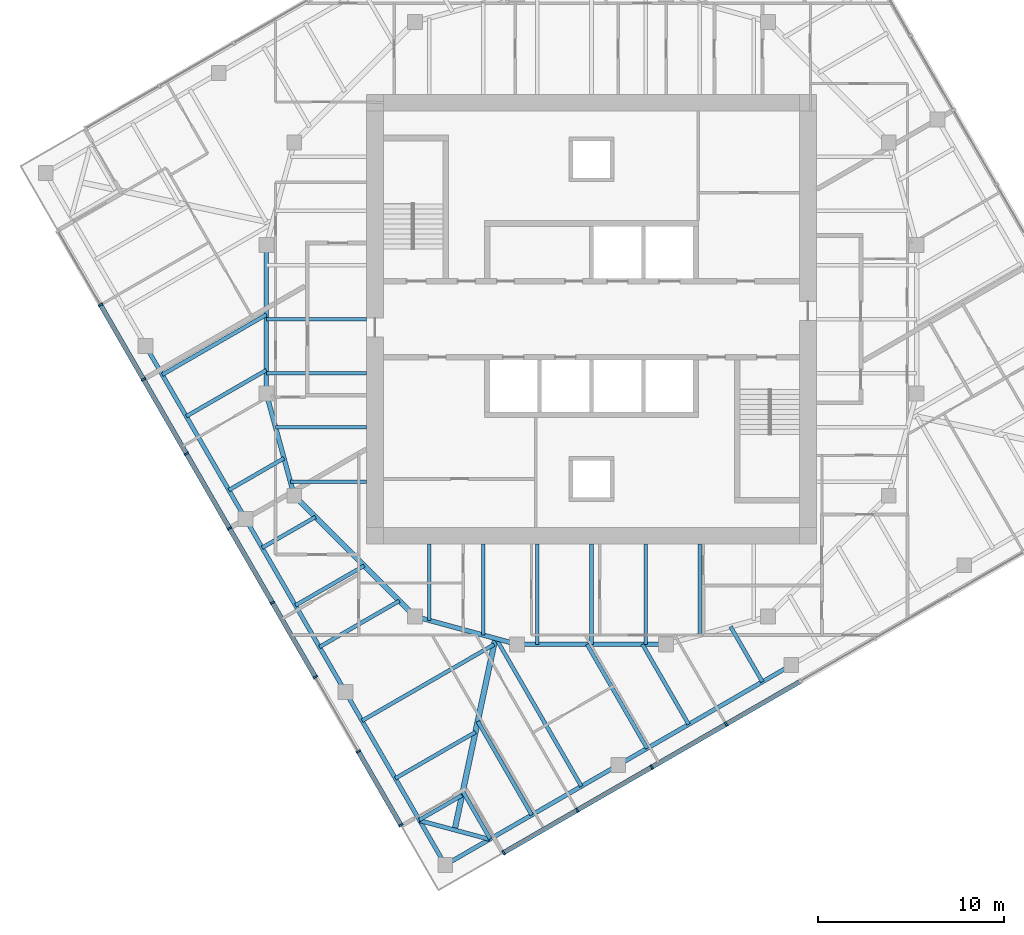
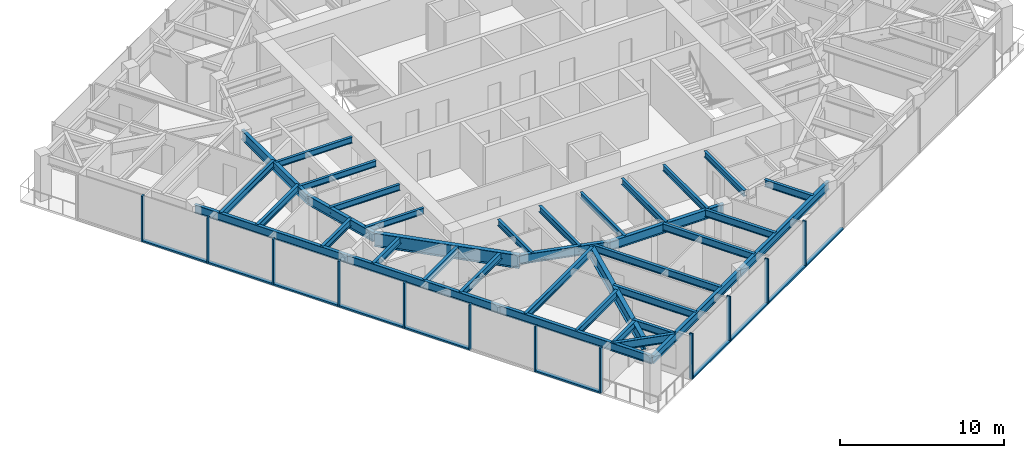
# One storey, part 2 of 12: 37 beams, 22 members, 2 elements without a shape of their own.
"""IFC4 building model written with IfcOpenShell, lengths in metres."""

from ifc_helpers import new_model, si_unit, direction, frame, origin, origin_2d, place, context, subcontext, project, spatial, rectangle, i_section, extrude, material, material_profile, profile_set, type_object, element, aggregate, save


model = new_model("IFC4")

# Units and contexts
model_context = context("Model", 3, precision=1e-05, world=origin(), true_north=direction((0.0, 1.0)))
body_context = subcontext(model_context, "Body", "Model", "MODEL_VIEW")
ifc_project = project(units=[si_unit("LENGTHUNIT", "METRE"), si_unit("AREAUNIT", "SQUARE_METRE"), si_unit("VOLUMEUNIT", "CUBIC_METRE"), si_unit("PLANEANGLEUNIT", "RADIAN"), si_unit("MASSUNIT", "GRAM", prefix="KILO")], contexts=[model_context])

# Site, building, storey
site_placement = place(None, origin())
site = spatial("IfcSite", under=ifc_project, at=site_placement, CompositionType="ELEMENT")
building_placement = place(site_placement, origin())
building = spatial("IfcBuilding", under=site, at=building_placement, Name="Torsade Residences", CompositionType="ELEMENT")
storey_placement = place(building_placement, frame((0.0, 0.0, 211.60009765625)))
storey = spatial("IfcBuildingStorey", under=building, at=storey_placement, Name="L58", CompositionType="ELEMENT", Elevation=211.60009765625)

# Beams
ifc_material_1 = material(Name="Steel grade 300", Category="steel")
ifc_material_profile_1 = material_profile(ifc_material_1, i_section(OverallWidth=0.300048828125, OverallDepth=0.89990234375, WebThickness=0.011962890625, FlangeThickness=0.02490234375, at=origin_2d()), Name="900WB175")
ifc_profile_set_1 = profile_set([ifc_material_profile_1], Name="Steel grade 300")
beam_type_1 = type_object("IfcBeamType", Name="CORNER GIRDER 900WB175", PredefinedType="BEAM", material=ifc_profile_set_1)
beam_1_placement = place(storey_placement, frame((32.6337890625, 2.5087890625, 2.7998046875), z_axis=(0.20806427425, 0.978115155685, 0.0), x_axis=(-0.978115155685, 0.20806427425, 0.0)))
element("IfcBeam", 1, at=beam_1_placement, inside=storey, type_object=beam_type_1, Name="Corner girder 01 L59", PredefinedType="BEAM", context=body_context, shape_type="SweptSolid", body=[
    extrude(i_section(OverallWidth=0.300048828125, OverallDepth=0.89990234375, WebThickness=0.011962890625, FlangeThickness=0.02490234375, at=origin_2d()), origin(), (0.0, 0.0, 1.0), 10.541748046875),
])
ifc_material_2 = material(Name="Steel grade 300", Category="steel")
ifc_material_profile_2 = material_profile(ifc_material_2, i_section(OverallWidth=0.22802734375, OverallDepth=0.60205078125, WebThickness=0.010498046875, FlangeThickness=0.014892578125, FilletRadius=0.013916015625, at=origin_2d()), Name="610UB101")
ifc_profile_set_2 = profile_set([ifc_material_profile_2], Name="Steel grade 300")
beam_type_2 = type_object("IfcBeamType", Name="CORNER TRIMMER 610UB101", PredefinedType="BEAM", material=ifc_profile_set_2)
beam_2_placement = place(storey_placement, frame((34.511962890625, 2.00537109375, 2.948974609375), z_axis=(-0.965924794002, 0.258822897619, 0.0), x_axis=(-0.258822897619, -0.965924794002, 0.0)))
element("IfcBeam", 2, at=beam_2_placement, inside=storey, type_object=beam_type_2, Name="Corner trimmer 01 L59", PredefinedType="BEAM", context=body_context, shape_type="SweptSolid", body=[
    extrude(i_section(OverallWidth=0.22802734375, OverallDepth=0.60205078125, WebThickness=0.010498046875, FlangeThickness=0.014892578125, FilletRadius=0.013916015625, at=origin_2d()), origin(), (0.0, 0.0, 1.0), 3.88916015625),
])
ifc_material_3 = material(Name="Steel grade 300", Category="steel")
ifc_material_profile_3 = material_profile(ifc_material_3, i_section(OverallWidth=0.22900390625, OverallDepth=0.612060546875, WebThickness=0.011962890625, FlangeThickness=0.01953125, FilletRadius=0.013916015625, at=origin_2d()), Name="610UB125")
ifc_profile_set_3 = profile_set([ifc_material_profile_3], Name="Steel grade 300")
beam_type_3 = type_object("IfcBeamType", Name="EDGE BEAM 610UB125", PredefinedType="SPANDREL", material=ifc_profile_set_3)
for number, where, z_axis, x_axis, name in (
    (3, (32.13037109375, 0.63037109375, 2.94384765625), (0.866026365697, 0.499998333915, 0.0), (-0.499998333915, 0.866026365697, 0.0), "Edge beam 01 L59"),
    (4, (41.440185546875, 6.00537109375, 2.94384765625), (0.866026365697, 0.499998333915, 0.0), (-0.499998333915, 0.866026365697, 0.0), "Edge beam 02 L59"),
    (5, (16.00537109375, 28.559814453125, 2.94384765625), (0.499998333915, -0.866026365697, 0.0), (0.866026365697, 0.499998333915, 0.0), "Edge beam 14 L59"),
    (6, (21.38037109375, 19.25, 2.94384765625), (0.499998333915, -0.866026365697, 0.0), (0.866026365697, 0.499998333915, 0.0), "Edge beam 15 L59"),
    (7, (26.75537109375, 9.940185546875, 2.94384765625), (0.499998333915, -0.866026365697, 0.0), (0.866026365697, 0.499998333915, 0.0), "Edge beam 16 L59"),
):
    element("IfcBeam", number, at=place(storey_placement, frame(where, z_axis=z_axis, x_axis=x_axis)), inside=storey, type_object=beam_type_3, Name=name, PredefinedType="SPANDREL", context=body_context, shape_type="SweptSolid", body=[
        extrude(i_section(OverallWidth=0.22900390625, OverallDepth=0.612060546875, WebThickness=0.011962890625, FlangeThickness=0.01953125, FilletRadius=0.013916015625, at=origin_2d()), origin(), (0.0, 0.0, 1.0), 10.75),
    ])

# Curtain wall, members
ifc_material_4 = material(Name="Aluminium and glass", Category="aluminium")
curtain_wall_type = type_object("IfcCurtainWallType", Name="FRITTED GLASS CURTAIN WALL HIGH ZONE", PredefinedType="NOTDEFINED", material=ifc_material_4)
curtain_wall_1_placement = place(storey_placement, origin())
curtain_wall_1 = element("IfcCurtainWall", 8, at=curtain_wall_1_placement, inside=storey, type_object=curtain_wall_type, Name="Curtain wall L58 face 1", PredefinedType="NOTDEFINED")
ifc_material_5 = material(Name="Aluminium mullion", Category="aluminium")
ifc_material_profile_4 = material_profile(ifc_material_5, rectangle(XDim=0.25, YDim=0.10009765625, at=origin_2d()), Name="HIGH ZONE CURTAIN WALL MULLION 250x100")
ifc_profile_set_4 = profile_set([ifc_material_profile_4], Name="Aluminium mullion")
member_type_1 = type_object("IfcMemberType", Name="HIGH ZONE CURTAIN WALL MULLION 250x100", PredefinedType="MULLION", material=ifc_profile_set_4)
member_1_placement = place(storey_placement, frame((35.271728515625, 1.289306640625, 0.0), z_axis=(0.0, 0.0, 1.0), x_axis=(-0.499999999305, 0.866025404186, 0.0)))
member_1 = element("IfcMember", 9, at=member_1_placement, type_object=member_type_1, Name="Mullion 1", PredefinedType="MULLION", context=body_context, shape_type="SweptSolid", body=[
    extrude(rectangle(XDim=0.25, YDim=0.10009765625, at=origin_2d()), origin(), (0.0, 0.0, 1.0), 3.39990234375),
])
member_2_placement = place(storey_placement, frame((39.23388671875, 3.576904296875, 0.0), z_axis=(0.0, 0.0, 1.0), x_axis=(-0.499999999305, 0.866025404186, 0.0)))
member_2 = element("IfcMember", 10, at=member_2_placement, type_object=member_type_1, Name="Mullion 2", PredefinedType="MULLION", context=body_context, shape_type="SweptSolid", body=[
    extrude(rectangle(XDim=0.25, YDim=0.10009765625, at=origin_2d()), origin(), (0.0, 0.0, 1.0), 3.39990234375),
])
member_3_placement = place(storey_placement, frame((43.2392578125, 5.889404296875, 0.0), z_axis=(0.0, 0.0, 1.0), x_axis=(-0.499999999305, 0.866025404186, 0.0)))
member_3 = element("IfcMember", 11, at=member_3_placement, type_object=member_type_1, Name="Mullion 3", PredefinedType="MULLION", context=body_context, shape_type="SweptSolid", body=[
    extrude(rectangle(XDim=0.25, YDim=0.10009765625, at=origin_2d()), origin(), (0.0, 0.0, 1.0), 3.39990234375),
])
member_4_placement = place(storey_placement, frame((47.24462890625, 8.201904296875, 0.0), z_axis=(0.0, 0.0, 1.0), x_axis=(-0.499999999305, 0.866025404186, 0.0)))
member_4 = element("IfcMember", 12, at=member_4_placement, type_object=member_type_1, Name="Mullion 4", PredefinedType="MULLION", context=body_context, shape_type="SweptSolid", body=[
    extrude(rectangle(XDim=0.25, YDim=0.10009765625, at=origin_2d()), origin(), (0.0, 0.0, 1.0), 3.39990234375),
])

curtain_wall_2_placement = place(storey_placement, origin())
curtain_wall_2 = element("IfcCurtainWall", 13, at=curtain_wall_2_placement, inside=storey, type_object=curtain_wall_type, Name="Curtain wall L58 face 10", PredefinedType="NOTDEFINED")
member_5_placement = place(storey_placement, frame((13.576904296875, 30.76611328125, 0.0), z_axis=(0.0, 0.0, 1.0), x_axis=(0.866025404186, 0.499999999305, 0.0)))
member_5 = element("IfcMember", 14, at=member_5_placement, type_object=member_type_1, Name="Mullion 2", PredefinedType="MULLION", context=body_context, shape_type="SweptSolid", body=[
    extrude(rectangle(XDim=0.25, YDim=0.10009765625, at=origin_2d()), origin(), (0.0, 0.0, 1.0), 3.39990234375),
])
member_6_placement = place(storey_placement, frame((15.889404296875, 26.7607421875, 0.0), z_axis=(0.0, 0.0, 1.0), x_axis=(0.866025404186, 0.499999999305, 0.0)))
member_6 = element("IfcMember", 15, at=member_6_placement, type_object=member_type_1, Name="Mullion 3", PredefinedType="MULLION", context=body_context, shape_type="SweptSolid", body=[
    extrude(rectangle(XDim=0.25, YDim=0.10009765625, at=origin_2d()), origin(), (0.0, 0.0, 1.0), 3.39990234375),
])
member_7_placement = place(storey_placement, frame((18.201904296875, 22.75537109375, 0.0), z_axis=(0.0, 0.0, 1.0), x_axis=(0.866025404186, 0.499999999305, 0.0)))
member_7 = element("IfcMember", 16, at=member_7_placement, type_object=member_type_1, Name="Mullion 4", PredefinedType="MULLION", context=body_context, shape_type="SweptSolid", body=[
    extrude(rectangle(XDim=0.25, YDim=0.10009765625, at=origin_2d()), origin(), (0.0, 0.0, 1.0), 3.39990234375),
])
member_8_placement = place(storey_placement, frame((20.514404296875, 18.75, 0.0), z_axis=(0.0, 0.0, 1.0), x_axis=(0.866025404186, 0.499999999305, 0.0)))
member_8 = element("IfcMember", 17, at=member_8_placement, type_object=member_type_1, Name="Mullion 5", PredefinedType="MULLION", context=body_context, shape_type="SweptSolid", body=[
    extrude(rectangle(XDim=0.25, YDim=0.10009765625, at=origin_2d()), origin(), (0.0, 0.0, 1.0), 3.39990234375),
])
member_9_placement = place(storey_placement, frame((22.826904296875, 14.74462890625, 0.0), z_axis=(0.0, 0.0, 1.0), x_axis=(0.866025404186, 0.499999999305, 0.0)))
member_9 = element("IfcMember", 18, at=member_9_placement, type_object=member_type_1, Name="Mullion 6", PredefinedType="MULLION", context=body_context, shape_type="SweptSolid", body=[
    extrude(rectangle(XDim=0.25, YDim=0.10009765625, at=origin_2d()), origin(), (0.0, 0.0, 1.0), 3.39990234375),
])
member_10_placement = place(storey_placement, frame((25.139404296875, 10.7392578125, 0.0), z_axis=(0.0, 0.0, 1.0), x_axis=(0.866025404186, 0.499999999305, 0.0)))
member_10 = element("IfcMember", 19, at=member_10_placement, type_object=member_type_1, Name="Mullion 7", PredefinedType="MULLION", context=body_context, shape_type="SweptSolid", body=[
    extrude(rectangle(XDim=0.25, YDim=0.10009765625, at=origin_2d()), origin(), (0.0, 0.0, 1.0), 3.39990234375),
])
member_11_placement = place(storey_placement, frame((27.451904296875, 6.73388671875, 0.0), z_axis=(0.0, 0.0, 1.0), x_axis=(0.866025404186, 0.499999999305, 0.0)))
member_11 = element("IfcMember", 20, at=member_11_placement, type_object=member_type_1, Name="Mullion 8", PredefinedType="MULLION", context=body_context, shape_type="SweptSolid", body=[
    extrude(rectangle(XDim=0.25, YDim=0.10009765625, at=origin_2d()), origin(), (0.0, 0.0, 1.0), 3.39990234375),
])
member_12_placement = place(storey_placement, frame((29.739501953125, 2.771728515625, 0.0), z_axis=(0.0, 0.0, 1.0), x_axis=(0.866025404186, 0.499999999305, 0.0)))
member_12 = element("IfcMember", 21, at=member_12_placement, type_object=member_type_1, Name="Mullion 9", PredefinedType="MULLION", context=body_context, shape_type="SweptSolid", body=[
    extrude(rectangle(XDim=0.25, YDim=0.10009765625, at=origin_2d()), origin(), (0.0, 0.0, 1.0), 3.39990234375),
])

# Member
ifc_material_6 = material(Name="Aluminium transom", Category="aluminium")
ifc_material_profile_5 = material_profile(ifc_material_6, rectangle(XDim=0.25, YDim=0.1201171875, at=origin_2d()), Name="HIGH ZONE CURTAIN WALL TRANSOM 250x120")
ifc_profile_set_5 = profile_set([ifc_material_profile_5], Name="Aluminium transom")
member_type_2 = type_object("IfcMemberType", Name="HIGH ZONE CURTAIN WALL TRANSOM 250x120", PredefinedType="USERDEFINED", material=ifc_profile_set_5)
member_13_placement = place(storey_placement, frame((35.315185546875, 1.314453125, 0.059814453125), z_axis=(0.866022053326, 0.50000580312, 0.0), x_axis=(-0.50000580312, 0.866022053326, 0.0)))
member_13 = element("IfcMember", 22, at=member_13_placement, type_object=member_type_2, Name="Transom 1.1", ObjectType="TRANSOM", PredefinedType="USERDEFINED", context=body_context, shape_type="SweptSolid", body=[
    extrude(rectangle(XDim=0.25, YDim=0.1201171875, at=origin_2d()), origin(), (0.0, 0.0, 1.0), 4.47509765625),
])

member_14_placement = place(storey_placement, frame((39.277099609375, 3.601806640625, 0.059814453125), z_axis=(0.866016678684, 0.500015112013, 0.0), x_axis=(-0.500015112013, 0.866016678684, 0.0)))
member_14 = element("IfcMember", 23, at=member_14_placement, type_object=member_type_2, Name="Transom 2.1", ObjectType="TRANSOM", PredefinedType="USERDEFINED", context=body_context, shape_type="SweptSolid", body=[
    extrude(rectangle(XDim=0.25, YDim=0.1201171875, at=origin_2d()), origin(), (0.0, 0.0, 1.0), 4.525146484375),
])

member_15_placement = place(storey_placement, frame((43.282470703125, 5.914306640625, 0.059814453125), z_axis=(0.866016678684, 0.500015112013, 0.0), x_axis=(-0.500015112013, 0.866016678684, 0.0)))
member_15 = element("IfcMember", 24, at=member_15_placement, type_object=member_type_2, Name="Transom 3.1", ObjectType="TRANSOM", PredefinedType="USERDEFINED", context=body_context, shape_type="SweptSolid", body=[
    extrude(rectangle(XDim=0.25, YDim=0.1201171875, at=origin_2d()), origin(), (0.0, 0.0, 1.0), 4.525146484375),
])

member_16_placement = place(storey_placement, frame((47.287841796875, 8.226806640625, 0.059814453125), z_axis=(0.866016678684, 0.500015112013, 0.0), x_axis=(-0.500015112013, 0.866016678684, 0.0)))
member_16 = element("IfcMember", 25, at=member_16_placement, type_object=member_type_2, Name="Transom 4.1", ObjectType="TRANSOM", PredefinedType="USERDEFINED", context=body_context, shape_type="SweptSolid", body=[
    extrude(rectangle(XDim=0.25, YDim=0.1201171875, at=origin_2d()), origin(), (0.0, 0.0, 1.0), 4.525146484375),
])

aggregate(curtain_wall_1, [member_1, member_2, member_3, member_4, member_13, member_14, member_15, member_16])

member_17_placement = place(storey_placement, frame((13.601806640625, 30.722900390625, 0.059814453125), z_axis=(0.500015112013, -0.866016678684, 0.0), x_axis=(0.866016678684, 0.500015112013, 0.0)))
member_17 = element("IfcMember", 26, at=member_17_placement, type_object=member_type_2, Name="Transom 2.1", ObjectType="TRANSOM", PredefinedType="USERDEFINED", context=body_context, shape_type="SweptSolid", body=[
    extrude(rectangle(XDim=0.25, YDim=0.1201171875, at=origin_2d()), origin(), (0.0, 0.0, 1.0), 4.525146484375),
])

member_18_placement = place(storey_placement, frame((15.914306640625, 26.717529296875, 0.059814453125), z_axis=(0.500015112013, -0.866016678684, 0.0), x_axis=(0.866016678684, 0.500015112013, 0.0)))
member_18 = element("IfcMember", 27, at=member_18_placement, type_object=member_type_2, Name="Transom 3.1", ObjectType="TRANSOM", PredefinedType="USERDEFINED", context=body_context, shape_type="SweptSolid", body=[
    extrude(rectangle(XDim=0.25, YDim=0.1201171875, at=origin_2d()), origin(), (0.0, 0.0, 1.0), 4.525146484375),
])

member_19_placement = place(storey_placement, frame((18.226806640625, 22.712158203125, 0.059814453125), z_axis=(0.500015112013, -0.866016678684, 0.0), x_axis=(0.866016678684, 0.500015112013, 0.0)))
member_19 = element("IfcMember", 28, at=member_19_placement, type_object=member_type_2, Name="Transom 4.1", ObjectType="TRANSOM", PredefinedType="USERDEFINED", context=body_context, shape_type="SweptSolid", body=[
    extrude(rectangle(XDim=0.25, YDim=0.1201171875, at=origin_2d()), origin(), (0.0, 0.0, 1.0), 4.525146484375),
])

member_20_placement = place(storey_placement, frame((20.539306640625, 18.706787109375, 0.059814453125), z_axis=(0.500015112013, -0.866016678684, 0.0), x_axis=(0.866016678684, 0.500015112013, 0.0)))
member_20 = element("IfcMember", 29, at=member_20_placement, type_object=member_type_2, Name="Transom 5.1", ObjectType="TRANSOM", PredefinedType="USERDEFINED", context=body_context, shape_type="SweptSolid", body=[
    extrude(rectangle(XDim=0.25, YDim=0.1201171875, at=origin_2d()), origin(), (0.0, 0.0, 1.0), 4.525146484375),
])

member_21_placement = place(storey_placement, frame((22.851806640625, 14.701416015625, 0.059814453125), z_axis=(0.500015112013, -0.866016678684, 0.0), x_axis=(0.866016678684, 0.500015112013, 0.0)))
member_21 = element("IfcMember", 30, at=member_21_placement, type_object=member_type_2, Name="Transom 6.1", ObjectType="TRANSOM", PredefinedType="USERDEFINED", context=body_context, shape_type="SweptSolid", body=[
    extrude(rectangle(XDim=0.25, YDim=0.1201171875, at=origin_2d()), origin(), (0.0, 0.0, 1.0), 4.525146484375),
])

member_22_placement = place(storey_placement, frame((27.476806640625, 6.690673828125, 0.059814453125), z_axis=(0.50000580312, -0.866022053326, 0.0), x_axis=(0.866022053326, 0.50000580312, 0.0)))
member_22 = element("IfcMember", 31, at=member_22_placement, type_object=member_type_2, Name="Transom 8.1", ObjectType="TRANSOM", PredefinedType="USERDEFINED", context=body_context, shape_type="SweptSolid", body=[
    extrude(rectangle(XDim=0.25, YDim=0.1201171875, at=origin_2d()), origin(), (0.0, 0.0, 1.0), 4.47509765625),
])

aggregate(curtain_wall_2, [member_5, member_6, member_7, member_8, member_9, member_10, member_11, member_12, member_17, member_18, member_19, member_20, member_21, member_22])

# Beams
ifc_material_7 = material(Name="Steel grade 300", Category="steel")
ifc_material_profile_6 = material_profile(ifc_material_7, i_section(OverallWidth=0.18994140625, OverallDepth=0.4541015625, WebThickness=0.008544921875, FlangeThickness=0.0126953125, FilletRadius=0.011474609375, at=origin_2d()), Name="460UB67.1")
ifc_profile_set_6 = profile_set([ifc_material_profile_6], Name="Steel grade 300")
beam_type_4 = type_object("IfcBeamType", Name="INNER FLOOR BEAM 460UB67.1", PredefinedType="JOIST", material=ifc_profile_set_6)
beam_3_placement = place(storey_placement, frame((45.824951171875, 17.89990234375, 3.02294921875), z_axis=(0.0, -1.0, 0.0), x_axis=(1.0, 0.0, 0.0)))
element("IfcBeam", 32, at=beam_3_placement, inside=storey, type_object=beam_type_4, Name="Inner floor beam IS02 L59", PredefinedType="JOIST", context=body_context, shape_type="SweptSolid", body=[
    extrude(i_section(OverallWidth=0.18994140625, OverallDepth=0.4541015625, WebThickness=0.008544921875, FlangeThickness=0.0126953125, FilletRadius=0.011474609375, at=origin_2d()), origin(), (0.0, 0.0, 1.0), 4.902099609375),
])
for number, where, z_axis, x_axis, name in (
    (33, (42.91259765625, 17.89990234375, 3.02294921875), (0.0, -1.0, 0.0), (1.0, 0.0, 0.0), "Inner floor beam IS03 L59"),
    (34, (40.0, 17.89990234375, 3.02294921875), (0.0, -1.0, 0.0), (1.0, 0.0, 0.0), "Inner floor beam IS04 L59"),
    (35, (37.08740234375, 17.89990234375, 3.02294921875), (0.0, -1.0, 0.0), (1.0, 0.0, 0.0), "Inner floor beam IS05 L59"),
):
    element("IfcBeam", number, at=place(storey_placement, frame(where, z_axis=z_axis, x_axis=x_axis)), inside=storey, type_object=beam_type_4, Name=name, PredefinedType="JOIST", context=body_context, shape_type="SweptSolid", body=[
        extrude(i_section(OverallWidth=0.18994140625, OverallDepth=0.4541015625, WebThickness=0.008544921875, FlangeThickness=0.0126953125, FilletRadius=0.011474609375, at=origin_2d()), origin(), (0.0, 0.0, 1.0), 5.39990234375),
    ])
beam_4_placement = place(storey_placement, frame((34.175048828125, 17.89990234375, 3.02294921875), z_axis=(0.0, -1.0, 0.0), x_axis=(1.0, 0.0, 0.0)))
element("IfcBeam", 36, at=beam_4_placement, inside=storey, type_object=beam_type_4, Name="Inner floor beam IS06 L59", PredefinedType="JOIST", context=body_context, shape_type="SweptSolid", body=[
    extrude(i_section(OverallWidth=0.18994140625, OverallDepth=0.4541015625, WebThickness=0.008544921875, FlangeThickness=0.0126953125, FilletRadius=0.011474609375, at=origin_2d()), origin(), (0.0, 0.0, 1.0), 4.902099609375),
])
beam_5_placement = place(storey_placement, frame((31.262451171875, 17.89990234375, 3.02294921875), z_axis=(0.0, -1.0, 0.0), x_axis=(1.0, 0.0, 0.0)))
element("IfcBeam", 37, at=beam_5_placement, inside=storey, type_object=beam_type_4, Name="Inner floor beam IS07 L59", PredefinedType="JOIST", context=body_context, shape_type="SweptSolid", body=[
    extrude(i_section(OverallWidth=0.18994140625, OverallDepth=0.4541015625, WebThickness=0.008544921875, FlangeThickness=0.0126953125, FilletRadius=0.011474609375, at=origin_2d()), origin(), (0.0, 0.0, 1.0), 4.10791015625),
])
for number, where, z_axis, x_axis, name in (
    (38, (27.89990234375, 30.0, 3.02294921875), (-1.0, 0.0, 0.0), (0.0, -1.0, 0.0), "Inner floor beam IW04 L59"),
    (39, (27.89990234375, 27.08740234375, 3.02294921875), (-1.0, 0.0, 0.0), (0.0, -1.0, 0.0), "Inner floor beam IW05 L59"),
):
    element("IfcBeam", number, at=place(storey_placement, frame(where, z_axis=z_axis, x_axis=x_axis)), inside=storey, type_object=beam_type_4, Name=name, PredefinedType="JOIST", context=body_context, shape_type="SweptSolid", body=[
        extrude(i_section(OverallWidth=0.18994140625, OverallDepth=0.4541015625, WebThickness=0.008544921875, FlangeThickness=0.0126953125, FilletRadius=0.011474609375, at=origin_2d()), origin(), (0.0, 0.0, 1.0), 5.39990234375),
    ])
beam_6_placement = place(storey_placement, frame((27.89990234375, 24.175048828125, 3.02294921875), z_axis=(-1.0, 0.0, 0.0), x_axis=(0.0, -1.0, 0.0)))
element("IfcBeam", 40, at=beam_6_placement, inside=storey, type_object=beam_type_4, Name="Inner floor beam IW06 L59", PredefinedType="JOIST", context=body_context, shape_type="SweptSolid", body=[
    extrude(i_section(OverallWidth=0.18994140625, OverallDepth=0.4541015625, WebThickness=0.008544921875, FlangeThickness=0.0126953125, FilletRadius=0.011474609375, at=origin_2d()), origin(), (0.0, 0.0, 1.0), 4.902099609375),
])
beam_7_placement = place(storey_placement, frame((27.89990234375, 21.262451171875, 3.02294921875), z_axis=(-1.0, 0.0, 0.0), x_axis=(0.0, -1.0, 0.0)))
element("IfcBeam", 41, at=beam_7_placement, inside=storey, type_object=beam_type_4, Name="Inner floor beam IW07 L59", PredefinedType="JOIST", context=body_context, shape_type="SweptSolid", body=[
    extrude(i_section(OverallWidth=0.18994140625, OverallDepth=0.4541015625, WebThickness=0.008544921875, FlangeThickness=0.0126953125, FilletRadius=0.011474609375, at=origin_2d()), origin(), (0.0, 0.0, 1.0), 4.10791015625),
])
ifc_material_8 = material(Name="Steel grade 300", Category="steel")
ifc_material_profile_7 = material_profile(ifc_material_8, i_section(OverallWidth=0.300048828125, OverallDepth=1.0, WebThickness=0.01611328125, FlangeThickness=0.028076171875, at=origin_2d()), Name="1000WB215")
ifc_profile_set_7 = profile_set([ifc_material_profile_7], Name="Steel grade 300")
beam_type_5 = type_object("IfcBeamType", Name="RING CORNER GIRDER 1000WB215", PredefinedType="BEAM", material=ifc_profile_set_7)
beam_8_placement = place(storey_placement, frame((24.0, 20.5, 2.75), z_axis=(0.707106781187, -0.707106781187, 0.0), x_axis=(0.707106781187, 0.707106781187, 0.0)))
element("IfcBeam", 42, at=beam_8_placement, inside=storey, type_object=beam_type_5, Name="Ring girder IR11 L59", PredefinedType="BEAM", context=body_context, shape_type="SweptSolid", body=[
    extrude(i_section(OverallWidth=0.300048828125, OverallDepth=1.0, WebThickness=0.01611328125, FlangeThickness=0.028076171875, at=origin_2d()), origin(), (0.0, 0.0, 1.0), 9.1923828125),
])
ifc_material_9 = material(Name="Steel grade 300", Category="steel")
ifc_material_profile_8 = material_profile(ifc_material_9, i_section(OverallWidth=0.25, OverallDepth=0.699951171875, WebThickness=0.010009765625, FlangeThickness=0.02001953125, at=origin_2d()), Name="700WB130")
ifc_profile_set_8 = profile_set([ifc_material_profile_8], Name="Steel grade 300")
beam_type_6 = type_object("IfcBeamType", Name="RING GIRDER 700WB130", PredefinedType="BEAM", material=ifc_profile_set_8)
beam_9_placement = place(storey_placement, frame((22.5, 34.0, 2.89990234375), z_axis=(0.0, -1.0, 0.0), x_axis=(1.0, 0.0, 0.0)))
element("IfcBeam", 43, at=beam_9_placement, inside=storey, type_object=beam_type_6, Name="Ring girder IR09 L59", PredefinedType="BEAM", context=body_context, shape_type="SweptSolid", body=[
    extrude(i_section(OverallWidth=0.25, OverallDepth=0.699951171875, WebThickness=0.010009765625, FlangeThickness=0.02001953125, at=origin_2d()), origin(), (0.0, 0.0, 1.0), 8.0),
])
for number, where, z_axis, x_axis, name in (
    (44, (22.5, 26.0, 2.89990234375), (0.263117405792, -0.964763821238, 0.0), (0.964763821238, 0.263117405792, 0.0), "Ring girder IR10 L59"),
    (45, (30.5, 14.0, 2.89990234375), (0.964763821238, -0.263117405792, 0.0), (0.263117405792, 0.964763821238, 0.0), "Ring girder IR12 L59"),
):
    element("IfcBeam", number, at=place(storey_placement, frame(where, z_axis=z_axis, x_axis=x_axis)), inside=storey, type_object=beam_type_6, Name=name, PredefinedType="BEAM", context=body_context, shape_type="SweptSolid", body=[
        extrude(i_section(OverallWidth=0.25, OverallDepth=0.699951171875, WebThickness=0.010009765625, FlangeThickness=0.02001953125, at=origin_2d()), origin(), (0.0, 0.0, 1.0), 5.700927734375),
    ])
beam_10_placement = place(storey_placement, frame((36.0, 12.5, 2.89990234375), z_axis=(1.0, 0.0, 0.0), x_axis=(0.0, 1.0, 0.0)))
element("IfcBeam", 46, at=beam_10_placement, inside=storey, type_object=beam_type_6, Name="Ring girder IR13 L59", PredefinedType="BEAM", context=body_context, shape_type="SweptSolid", body=[
    extrude(i_section(OverallWidth=0.25, OverallDepth=0.699951171875, WebThickness=0.010009765625, FlangeThickness=0.02001953125, at=origin_2d()), origin(), (0.0, 0.0, 1.0), 8.0),
])
ifc_material_10 = material(Name="Steel grade 300", Category="steel")
ifc_material_profile_9 = material_profile(ifc_material_10, i_section(OverallWidth=0.208984375, OverallDepth=0.528076171875, WebThickness=0.009521484375, FlangeThickness=0.01318359375, FilletRadius=0.013916015625, at=origin_2d()), Name="530UB82.0")
ifc_profile_set_9 = profile_set([ifc_material_profile_9], Name="Steel grade 300")
beam_type_7 = type_object("IfcBeamType", Name="SECONDARY BEAM 530UB82.0", PredefinedType="JOIST", material=ifc_profile_set_9)
beam_11_placement = place(storey_placement, frame((34.548095703125, 2.0263671875, 2.98583984375), z_axis=(-0.500014013, 0.866017313224, 0.0), x_axis=(-0.866017313224, -0.500014013, 0.0)))
element("IfcBeam", 47, at=beam_11_placement, inside=storey, type_object=beam_type_7, Name="Floor beam FS01 L59", PredefinedType="JOIST", context=body_context, shape_type="SweptSolid", body=[
    extrude(i_section(OverallWidth=0.208984375, OverallDepth=0.528076171875, WebThickness=0.009521484375, FlangeThickness=0.01318359375, FilletRadius=0.013916015625, at=origin_2d()), origin(), (0.0, 0.0, 1.0), 2.94775390625),
])
beam_12_placement = place(storey_placement, frame((36.785400390625, 3.31787109375, 2.98583984375), z_axis=(-0.499990133118, 0.866031100357, 0.0), x_axis=(-0.866031100357, -0.499990133118, 0.0)))
element("IfcBeam", 48, at=beam_12_placement, inside=storey, type_object=beam_type_7, Name="Floor beam FS02 L59", PredefinedType="JOIST", context=body_context, shape_type="SweptSolid", body=[
    extrude(i_section(OverallWidth=0.208984375, OverallDepth=0.528076171875, WebThickness=0.009521484375, FlangeThickness=0.01318359375, FilletRadius=0.013916015625, at=origin_2d()), origin(), (0.0, 0.0, 1.0), 5.81591796875),
])
beam_13_placement = place(storey_placement, frame((39.45556640625, 4.859619140625, 2.98583984375), z_axis=(-0.500006393711, 0.866021712342, 0.0), x_axis=(-0.866021712342, -0.500006393711, 0.0)))
element("IfcBeam", 49, at=beam_13_placement, inside=storey, type_object=beam_type_7, Name="Floor beam FS03 L59", PredefinedType="JOIST", context=body_context, shape_type="SweptSolid", body=[
    extrude(i_section(OverallWidth=0.208984375, OverallDepth=0.528076171875, WebThickness=0.009521484375, FlangeThickness=0.01318359375, FilletRadius=0.013916015625, at=origin_2d()), origin(), (0.0, 0.0, 1.0), 9.1796875),
])
beam_14_placement = place(storey_placement, frame((42.991943359375, 6.9013671875, 2.98583984375), z_axis=(-0.500005767435, 0.866022073929, 0.0), x_axis=(-0.866022073929, -0.500005767435, 0.0)))
element("IfcBeam", 50, at=beam_14_placement, inside=storey, type_object=beam_type_7, Name="Floor beam FS04 L59", PredefinedType="JOIST", context=body_context, shape_type="SweptSolid", body=[
    extrude(i_section(OverallWidth=0.208984375, OverallDepth=0.528076171875, WebThickness=0.009521484375, FlangeThickness=0.01318359375, FilletRadius=0.013916015625, at=origin_2d()), origin(), (0.0, 0.0, 1.0), 6.46484375),
])
beam_15_placement = place(storey_placement, frame((45.22900390625, 8.19287109375, 2.98583984375), z_axis=(-0.499977414361, 0.866038443216, 0.0), x_axis=(-0.866038443216, -0.499977414361, 0.0)))
element("IfcBeam", 51, at=beam_15_placement, inside=storey, type_object=beam_type_7, Name="Floor beam FS05 L59", PredefinedType="JOIST", context=body_context, shape_type="SweptSolid", body=[
    extrude(i_section(OverallWidth=0.208984375, OverallDepth=0.528076171875, WebThickness=0.009521484375, FlangeThickness=0.01318359375, FilletRadius=0.013916015625, at=origin_2d()), origin(), (0.0, 0.0, 1.0), 4.973388671875),
])
beam_16_placement = place(storey_placement, frame((49.198486328125, 10.484619140625, 2.98583984375), z_axis=(-0.500041249073, 0.866001587311, 0.0), x_axis=(-0.866001587311, -0.500041249073, 0.0)))
element("IfcBeam", 52, at=beam_16_placement, inside=storey, type_object=beam_type_7, Name="Floor beam FS06 L59", PredefinedType="JOIST", context=body_context, shape_type="SweptSolid", body=[
    extrude(i_section(OverallWidth=0.208984375, OverallDepth=0.528076171875, WebThickness=0.009521484375, FlangeThickness=0.01318359375, FilletRadius=0.013916015625, at=origin_2d()), origin(), (0.0, 0.0, 1.0), 3.425048828125),
])
beam_17_placement = place(storey_placement, frame((16.9013671875, 27.008056640625, 2.98583984375), z_axis=(0.866022073929, 0.500005767435, 0.0), x_axis=(-0.500005767435, 0.866022073929, 0.0)))
element("IfcBeam", 53, at=beam_17_placement, inside=storey, type_object=beam_type_7, Name="Floor beam FW04 L59", PredefinedType="JOIST", context=body_context, shape_type="SweptSolid", body=[
    extrude(i_section(OverallWidth=0.208984375, OverallDepth=0.528076171875, WebThickness=0.009521484375, FlangeThickness=0.01318359375, FilletRadius=0.013916015625, at=origin_2d()), origin(), (0.0, 0.0, 1.0), 6.46484375),
])
beam_18_placement = place(storey_placement, frame((18.19287109375, 24.77099609375, 2.98583984375), z_axis=(0.866038443216, 0.499977414361, 0.0), x_axis=(-0.499977414361, 0.866038443216, 0.0)))
element("IfcBeam", 54, at=beam_18_placement, inside=storey, type_object=beam_type_7, Name="Floor beam FW05 L59", PredefinedType="JOIST", context=body_context, shape_type="SweptSolid", body=[
    extrude(i_section(OverallWidth=0.208984375, OverallDepth=0.528076171875, WebThickness=0.009521484375, FlangeThickness=0.01318359375, FilletRadius=0.013916015625, at=origin_2d()), origin(), (0.0, 0.0, 1.0), 4.973388671875),
])
beam_19_placement = place(storey_placement, frame((20.484619140625, 20.801513671875, 2.98583984375), z_axis=(0.866001587311, 0.500041249073, 0.0), x_axis=(-0.500041249073, 0.866001587311, 0.0)))
element("IfcBeam", 55, at=beam_19_placement, inside=storey, type_object=beam_type_7, Name="Floor beam FW06 L59", PredefinedType="JOIST", context=body_context, shape_type="SweptSolid", body=[
    extrude(i_section(OverallWidth=0.208984375, OverallDepth=0.528076171875, WebThickness=0.009521484375, FlangeThickness=0.01318359375, FilletRadius=0.013916015625, at=origin_2d()), origin(), (0.0, 0.0, 1.0), 3.425048828125),
])
beam_20_placement = place(storey_placement, frame((22.2763671875, 17.698486328125, 2.98583984375), z_axis=(0.866039541186, 0.499975512502, 0.0), x_axis=(-0.499975512502, 0.866039541186, 0.0)))
element("IfcBeam", 56, at=beam_20_placement, inside=storey, type_object=beam_type_7, Name="Floor beam FW07 L59", PredefinedType="JOIST", context=body_context, shape_type="SweptSolid", body=[
    extrude(i_section(OverallWidth=0.208984375, OverallDepth=0.528076171875, WebThickness=0.009521484375, FlangeThickness=0.01318359375, FilletRadius=0.013916015625, at=origin_2d()), origin(), (0.0, 0.0, 1.0), 3.312744140625),
])
beam_21_placement = place(storey_placement, frame((24.06787109375, 14.59521484375, 2.98583984375), z_axis=(0.866022880939, 0.500004369671, 0.0), x_axis=(-0.500004369671, 0.866022880939, 0.0)))
element("IfcBeam", 57, at=beam_21_placement, inside=storey, type_object=beam_type_7, Name="Floor beam FW08 L59", PredefinedType="JOIST", context=body_context, shape_type="SweptSolid", body=[
    extrude(i_section(OverallWidth=0.208984375, OverallDepth=0.528076171875, WebThickness=0.009521484375, FlangeThickness=0.01318359375, FilletRadius=0.013916015625, at=origin_2d()), origin(), (0.0, 0.0, 1.0), 4.27294921875),
])
beam_22_placement = place(storey_placement, frame((25.359619140625, 12.35791015625, 2.98583984375), z_axis=(0.866043933037, 0.49996790502, 0.0), x_axis=(-0.49996790502, 0.866043933037, 0.0)))
element("IfcBeam", 58, at=beam_22_placement, inside=storey, type_object=beam_type_7, Name="Floor beam FW09 L59", PredefinedType="JOIST", context=body_context, shape_type="SweptSolid", body=[
    extrude(i_section(OverallWidth=0.208984375, OverallDepth=0.528076171875, WebThickness=0.009521484375, FlangeThickness=0.01318359375, FilletRadius=0.013916015625, at=origin_2d()), origin(), (0.0, 0.0, 1.0), 4.965087890625),
])
beam_23_placement = place(storey_placement, frame((27.6513671875, 8.388671875, 2.98583984375), z_axis=(0.866030002502, 0.499992034702, 0.0), x_axis=(-0.499992034702, 0.866030002502, 0.0)))
element("IfcBeam", 59, at=beam_23_placement, inside=storey, type_object=beam_type_7, Name="Floor beam FW10 L59", PredefinedType="JOIST", context=body_context, shape_type="SweptSolid", body=[
    extrude(i_section(OverallWidth=0.208984375, OverallDepth=0.528076171875, WebThickness=0.009521484375, FlangeThickness=0.01318359375, FilletRadius=0.013916015625, at=origin_2d()), origin(), (0.0, 0.0, 1.0), 8.205322265625),
])
beam_24_placement = place(storey_placement, frame((29.44287109375, 5.285400390625, 2.98583984375), z_axis=(0.866043477274, 0.499968694491, 0.0), x_axis=(-0.499968694491, 0.866043477274, 0.0)))
element("IfcBeam", 60, at=beam_24_placement, inside=storey, type_object=beam_type_7, Name="Floor beam FW11 L59", PredefinedType="JOIST", context=body_context, shape_type="SweptSolid", body=[
    extrude(i_section(OverallWidth=0.208984375, OverallDepth=0.528076171875, WebThickness=0.009521484375, FlangeThickness=0.01318359375, FilletRadius=0.013916015625, at=origin_2d()), origin(), (0.0, 0.0, 1.0), 4.977783203125),
])
beam_25_placement = place(storey_placement, frame((30.734619140625, 3.048095703125, 2.98583984375), z_axis=(0.866041431316, 0.499972238474, 0.0), x_axis=(-0.499972238474, 0.866041431316, 0.0)))
element("IfcBeam", 61, at=beam_25_placement, inside=storey, type_object=beam_type_7, Name="Floor beam FW12 L59", PredefinedType="JOIST", context=body_context, shape_type="SweptSolid", body=[
    extrude(i_section(OverallWidth=0.208984375, OverallDepth=0.528076171875, WebThickness=0.009521484375, FlangeThickness=0.01318359375, FilletRadius=0.013916015625, at=origin_2d()), origin(), (0.0, 0.0, 1.0), 2.651123046875),
])

save(model, "model.ifc")
